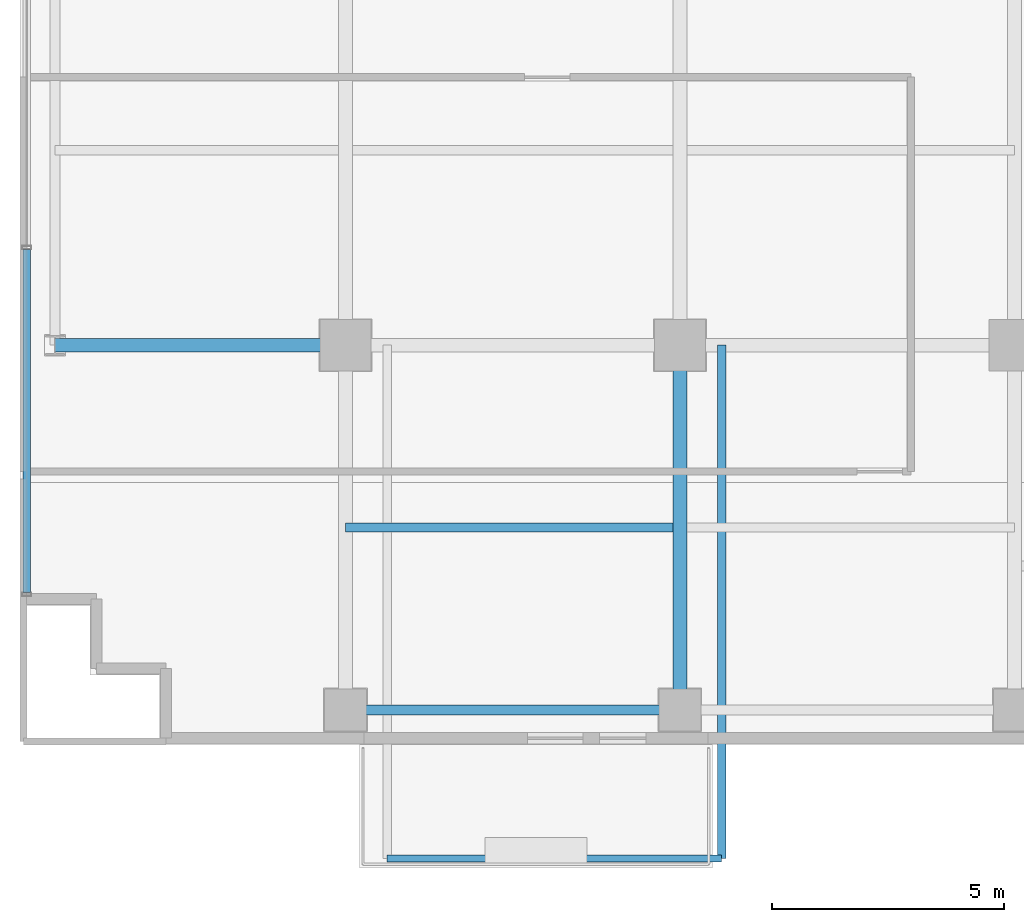
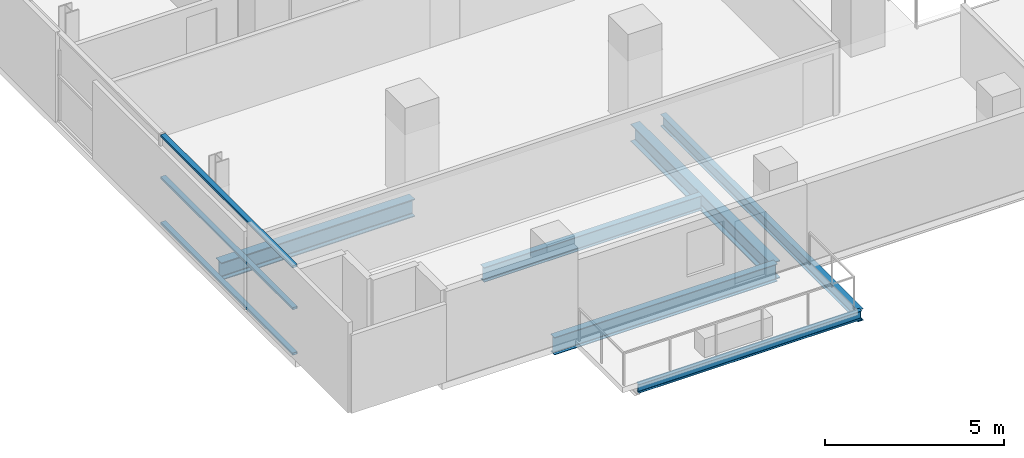
# One storey, part 3 of 28: 6 beams, 3 members, 1 element without a shape of its own.
"""IFC4 building model written with IfcOpenShell, lengths in metres."""

from ifc_helpers import new_model, si_unit, direction, frame, origin, origin_2d, place, context, subcontext, project, spatial, hollow_rectangle, i_section, extrude, source, transform, mapped, material, layer, layer_set, material_profile, profile_set, type_object, element, aggregate, save


model = new_model("IFC4")

# Units and contexts
model_context = context("Model", 3, precision=1e-05, world=origin(), true_north=direction((0.0, 1.0)))
body_context = subcontext(model_context, "Body", "Model", "MODEL_VIEW")
ifc_project = project(units=[si_unit("LENGTHUNIT", "METRE"), si_unit("AREAUNIT", "SQUARE_METRE"), si_unit("VOLUMEUNIT", "CUBIC_METRE"), si_unit("PLANEANGLEUNIT", "RADIAN"), si_unit("MASSUNIT", "GRAM", prefix="KILO")], contexts=[model_context])

# Site, building, storey
site_placement = place(None, origin())
site = spatial("IfcSite", under=ifc_project, at=site_placement, CompositionType="ELEMENT")
building_placement = place(site_placement, origin())
building = spatial("IfcBuilding", under=site, at=building_placement, Name="Zarnakvel Exchange Tower", CompositionType="ELEMENT")
storey_placement = place(building_placement, frame((0.0, 0.0, 57.10009765625)))
storey = spatial("IfcBuildingStorey", under=building, at=storey_placement, Name="L15", CompositionType="ELEMENT", Elevation=57.10009765625)

# Beams
ifc_material_1 = material(Name="Steel S355", Category="steel")
ifc_material_profile_1 = material_profile(ifc_material_1, i_section(OverallWidth=0.199951171875, OverallDepth=0.5, WebThickness=0.01025390625, FlangeThickness=0.01611328125, FilletRadius=0.02099609375, at=origin_2d()))
ifc_profile_set_1 = profile_set([ifc_material_profile_1], Name="Steel S355")
beam_type_1 = type_object("IfcBeamType", Name="B-04", PredefinedType="JOIST", material=ifc_profile_set_1)
beam_1_placement = place(storey_placement, frame((-21.60009765625, -13.52490234375, -0.47509765625), z_axis=(1.0, 0.0, 0.0), x_axis=(0.0, 1.0, 0.0)))
element("IfcBeam", 1, at=beam_1_placement, inside=storey, type_object=beam_type_1, Name="L15 Composite Floor Secondary Joist", PredefinedType="JOIST", context=body_context, shape_type="SweptSolid", body=[
    extrude(i_section(OverallWidth=0.199951171875, OverallDepth=0.5, WebThickness=0.01025390625, FlangeThickness=0.01611328125, FilletRadius=0.02099609375, at=origin_2d()), origin(), (0.0, 0.0, 1.0), 7.050048828125),
])
ifc_material_profile_2 = material_profile(ifc_material_1, i_section(OverallWidth=0.179931640625, OverallDepth=0.39990234375, WebThickness=0.008544921875, FlangeThickness=0.013427734375, FilletRadius=0.02099609375, at=origin_2d()))
ifc_profile_set_2 = profile_set([ifc_material_profile_2], Name="Steel S355")
beam_type_2 = type_object("IfcBeamType", Name="B-06", PredefinedType="JOIST", material=ifc_profile_set_2)
beam_2_placement = place(storey_placement, frame((-13.5, -9.60009765625, -0.425048828125), z_axis=(0.0, -1.0, 0.0), x_axis=(1.0, 0.0, 0.0)))
element("IfcBeam", 2, at=beam_2_placement, inside=storey, type_object=beam_type_2, Name="L15 Continuous Back-Spanned Balcony Beam E", PredefinedType="JOIST", context=body_context, shape_type="SweptSolid", body=[
    extrude(i_section(OverallWidth=0.179931640625, OverallDepth=0.39990234375, WebThickness=0.008544921875, FlangeThickness=0.013427734375, FilletRadius=0.02099609375, at=origin_2d()), origin(), (0.0, 0.0, 1.0), 11.0498046875),
])
ifc_material_profile_3 = material_profile(ifc_material_1, i_section(OverallWidth=0.14990234375, OverallDepth=0.300048828125, WebThickness=0.007080078125, FlangeThickness=0.0107421875, FilletRadius=0.014892578125, at=origin_2d()))
ifc_profile_set_3 = profile_set([ifc_material_profile_3], Name="Steel S355")
beam_type_3 = type_object("IfcBeamType", Name="B-08", PredefinedType="JOIST", material=ifc_profile_set_3)
beam_3_placement = place(storey_placement, frame((-20.699951171875, -20.64990234375, -0.375), z_axis=(1.0, 0.0, 0.0), x_axis=(0.0, 1.0, 0.0)))
element("IfcBeam", 3, at=beam_3_placement, inside=storey, type_object=beam_type_3, Name="L15 Balcony Edge Beam", PredefinedType="JOIST", context=body_context, shape_type="SweptSolid", body=[
    extrude(i_section(OverallWidth=0.14990234375, OverallDepth=0.300048828125, WebThickness=0.007080078125, FlangeThickness=0.0107421875, FilletRadius=0.014892578125, at=origin_2d()), origin(), (0.0, 0.0, 1.0), 7.199951171875),
])
ifc_material_profile_4 = material_profile(ifc_material_1, i_section(OverallWidth=0.300048828125, OverallDepth=0.60009765625, WebThickness=0.015380859375, FlangeThickness=0.030029296875, FilletRadius=0.027099609375, at=origin_2d()))
ifc_profile_set_4 = profile_set([ifc_material_profile_4], Name="Steel S355")
beam_type_4 = type_object("IfcBeamType", Name="G-04", PredefinedType="BEAM", material=ifc_profile_set_4)
beam_4_placement = place(storey_placement, frame((-27.85009765625, -9.60009765625, -0.525146484375), z_axis=(1.0, 0.0, 0.0), x_axis=(0.0, 1.0, 0.0)))
element("IfcBeam", 4, at=beam_4_placement, inside=storey, type_object=beam_type_4, Name="L15 Tower E-W Frame Beam", PredefinedType="BEAM", context=body_context, shape_type="SweptSolid", body=[
    extrude(i_section(OverallWidth=0.300048828125, OverallDepth=0.60009765625, WebThickness=0.015380859375, FlangeThickness=0.030029296875, FilletRadius=0.027099609375, at=origin_2d()), origin(), (0.0, 0.0, 1.0), 6.25),
])
beam_5_placement = place(storey_placement, frame((-14.39990234375, -17.449951171875, -0.525146484375), z_axis=(0.0, 1.0, 0.0), x_axis=(-1.0, 0.0, 0.0)))
element("IfcBeam", 5, at=beam_5_placement, inside=storey, type_object=beam_type_4, Name="L15 Tower N-S Frame Beam", PredefinedType="BEAM", context=body_context, shape_type="SweptSolid", body=[
    extrude(i_section(OverallWidth=0.300048828125, OverallDepth=0.60009765625, WebThickness=0.015380859375, FlangeThickness=0.030029296875, FilletRadius=0.027099609375, at=origin_2d()), origin(), (0.0, 0.0, 1.0), 7.849853515625),
])
ifc_material_profile_5 = material_profile(ifc_material_1, i_section(OverallWidth=0.219970703125, OverallDepth=0.60009765625, WebThickness=0.011962890625, FlangeThickness=0.01904296875, FilletRadius=0.02392578125, at=origin_2d()))
ifc_profile_set_5 = profile_set([ifc_material_profile_5], Name="Steel S355")
beam_type_5 = type_object("IfcBeamType", Name="SP-01", PredefinedType="SPANDREL", material=ifc_profile_set_5)
beam_6_placement = place(storey_placement, frame((-21.60009765625, -17.449951171875, -0.525146484375), z_axis=(1.0, 0.0, 0.0), x_axis=(0.0, 1.0, 0.0)))
element("IfcBeam", 6, at=beam_6_placement, inside=storey, type_object=beam_type_5, Name="L15 Tower E-W Frame Beam", PredefinedType="SPANDREL", context=body_context, shape_type="SweptSolid", body=[
    extrude(i_section(OverallWidth=0.219970703125, OverallDepth=0.60009765625, WebThickness=0.011962890625, FlangeThickness=0.01904296875, FilletRadius=0.02392578125, at=origin_2d()), origin(), (0.0, 0.0, 1.0), 7.2001953125),
])

# Curtain wall, members
ifc_material_2 = material(Name="Architectural Bronze Anodised Aluminium", Category="aluminium")
ifc_layer = layer(ifc_material_2, 0.199951171875)
ifc_layer_set = layer_set([ifc_layer], Name="Architectural Bronze Anodised Aluminium")
curtain_wall_type = type_object("IfcCurtainWallType", Name="CW-04", PredefinedType="NOTDEFINED", material=ifc_layer_set)
curtain_wall_placement = place(storey_placement, origin())
curtain_wall = element("IfcCurtainWall", 7, at=curtain_wall_placement, inside=storey, type_object=curtain_wall_type, Name="L15 Curtain Wall CW-L15-W1 (CW-04)", PredefinedType="NOTDEFINED")
ifc_material_profile_6 = material_profile(ifc_material_2, hollow_rectangle(XDim=0.159912109375, YDim=0.074951171875, WallThickness=0.00390625, at=origin_2d()))
ifc_profile_set_6 = profile_set([ifc_material_profile_6], Name="Architectural Bronze Anodised Aluminium")
member_type = type_object("IfcMemberType", Name="CWT-04", PredefinedType="USERDEFINED", material=ifc_profile_set_6)
shared_shape = source(origin(), body_context, "Body", "SweptSolid", [
    extrude(hollow_rectangle(XDim=0.159912109375, YDim=0.074951171875, WallThickness=0.00390625, at=origin_2d()), origin(), (0.0, 0.0, 1.0), 7.387451171875),
])
member_1_placement = place(storey_placement, frame((-28.4599609375, -14.925048828125, 0.037353515625), z_axis=(0.0, 1.0, 0.0), x_axis=(-1.0, 0.0, 0.0)))
member_1 = element("IfcMember", 8, at=member_1_placement, type_object=member_type, Name="CW-04 transom 1.1", ObjectType="TRANSOM", PredefinedType="USERDEFINED", context=body_context, shape_type="MappedRepresentation", body=[
    mapped(shared_shape, transform((0.0, 0.0, 0.0), x_axis=(1.0, 0.0, 0.0), y_axis=(0.0, 1.0, 0.0), z_axis=(0.0, 0.0, 1.0), scale=1.0)),
])
member_2_placement = place(storey_placement, frame((-28.4599609375, -14.925048828125, 1.588623046875), z_axis=(0.0, 1.0, 0.0), x_axis=(-1.0, 0.0, 0.0)))
member_2 = element("IfcMember", 9, at=member_2_placement, type_object=member_type, Name="CW-04 transom 1.2", ObjectType="TRANSOM", PredefinedType="USERDEFINED", context=body_context, shape_type="MappedRepresentation", body=[
    mapped(shared_shape, transform((0.0, 0.0, 0.0), x_axis=(1.0, 0.0, 0.0), y_axis=(0.0, 1.0, 0.0), z_axis=(0.0, 0.0, 1.0), scale=1.0)),
])
member_3_placement = place(storey_placement, frame((-28.4599609375, -14.925048828125, 3.017333984375), z_axis=(0.0, 1.0, 0.0), x_axis=(-1.0, 0.0, 0.0)))
member_3 = element("IfcMember", 10, at=member_3_placement, type_object=member_type, Name="CW-04 transom 1.3", ObjectType="TRANSOM", PredefinedType="USERDEFINED", context=body_context, shape_type="MappedRepresentation", body=[
    mapped(shared_shape, transform((0.0, 0.0, 0.0), x_axis=(1.0, 0.0, 0.0), y_axis=(0.0, 1.0, 0.0), z_axis=(0.0, 0.0, 1.0), scale=1.0)),
])
aggregate(curtain_wall, [member_1, member_2, member_3])

save(model, "model.ifc")
